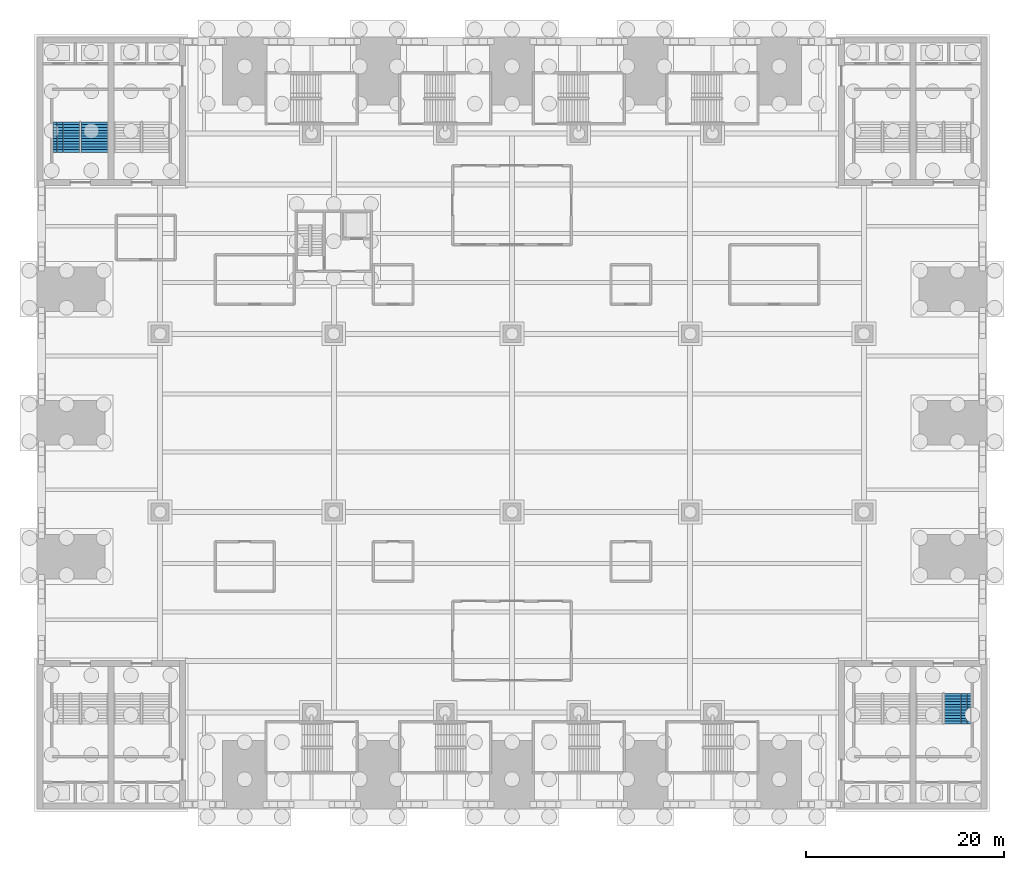
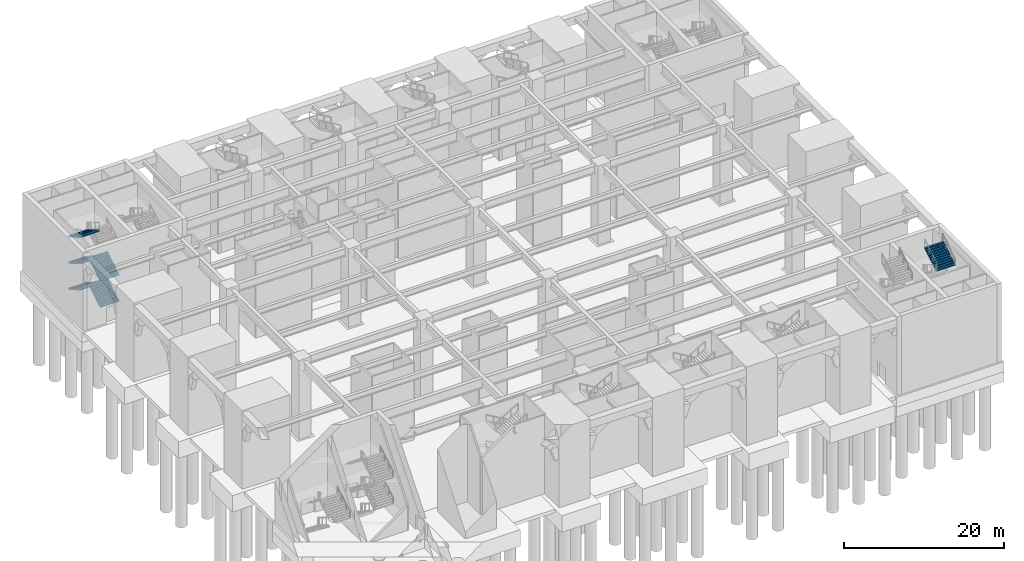
# One storey, part 19 of 34: 6 stair flights, 2 elements without a shape of their own.
"""IFC4 building model written with IfcOpenShell, lengths in metres."""

from ifc_helpers import new_model, si_unit, direction, frame, origin, place, context, subcontext, project, spatial, polyline, outline, extrude, material, type_object, element, aggregate, save


model = new_model("IFC4")

# Units and contexts
model_context = context("Model", 3, precision=1e-05, world=origin(), true_north=direction((0.0, 1.0)))
body_context = subcontext(model_context, "Body", "Model", "MODEL_VIEW")
ifc_project = project(units=[si_unit("LENGTHUNIT", "METRE"), si_unit("AREAUNIT", "SQUARE_METRE"), si_unit("VOLUMEUNIT", "CUBIC_METRE"), si_unit("PLANEANGLEUNIT", "RADIAN"), si_unit("MASSUNIT", "GRAM", prefix="KILO")], contexts=[model_context])

# Site, building, storey
site_placement = place(None, origin())
site = spatial("IfcSite", under=ifc_project, at=site_placement, CompositionType="ELEMENT")
building_placement = place(site_placement, origin())
building = spatial("IfcBuilding", under=site, at=building_placement, Name="Corbelhall Arena Tower", CompositionType="ELEMENT")
storey_placement = place(building_placement, origin())
storey = spatial("IfcBuildingStorey", under=building, at=storey_placement, Name="L00", CompositionType="ELEMENT", Elevation=0.0)

# Stair, stair flights
ifc_material = material(Name="Reinforced concrete C40/50", Category="concrete")
stair_type = type_object("IfcStairType", Name="AR-EXIT-STAIR", PredefinedType="HALF_TURN_STAIR", material=ifc_material)
stair_1_placement = place(storey_placement, origin())
stair_1 = element("IfcStair", 1, at=stair_1_placement, inside=storey, type_object=stair_type, Name="L00 exit stair AS4", PredefinedType="HALF_TURN_STAIR")
stair_flight_type = type_object("IfcStairFlightType", Name="AR-EXIT-FLIGHT", PredefinedType="STRAIGHT", material=ifc_material)
stair_flight_1_placement = place(storey_placement, frame((-42.159912109375, 27.320068359375, 0.0), z_axis=(0.0, 0.0, 1.0), x_axis=(0.0, 1.0, 0.0)))
stair_flight_1 = element("IfcStairFlight", 2, at=stair_flight_1_placement, type_object=stair_flight_type, Name="AS4 flight 1", NumberOfRisers=12, NumberOfTreads=11, PredefinedType="STRAIGHT", RiserHeight=0.166666667, TreadLength=0.28, context=body_context, shape_type="SweptSolid", body=[
    extrude(outline(polyline([(0.0, 0.0), (0.0, 0.166748046875), (0.280029296875, 0.166748046875), (0.280029296875, 0.333251953125), (0.56005859375, 0.333251953125), (0.56005859375, 0.5), (0.840087890625, 0.5), (0.840087890625, 0.666748046875), (1.1201171875, 0.666748046875), (1.1201171875, 0.833251953125), (1.39990234375, 0.833251953125), (1.39990234375, 1.0), (1.679931640625, 1.0), (1.679931640625, 1.166748046875), (1.9599609375, 1.166748046875), (1.9599609375, 1.333251953125), (2.239990234375, 1.333251953125), (2.239990234375, 1.5), (2.52001953125, 1.5), (2.52001953125, 1.666748046875), (2.800048828125, 1.666748046875), (2.800048828125, 1.833251953125), (3.080078125, 1.833251953125), (3.080078125, 2.0), (3.080078125, 1.658935546875), (0.29296875, 0.0), (0.0, 0.0)])), frame((0.0, 1.35986328125, 0.0), z_axis=(0.0, -1.0, 0.0), x_axis=(1.0, 0.0, 0.0)), (0.0, 0.0, 1.0), 0.449951171875),
    extrude(outline(polyline([(0.0, 0.0), (0.0, 0.166748046875), (0.280029296875, 0.166748046875), (0.280029296875, 0.333251953125), (0.56005859375, 0.333251953125), (0.56005859375, 0.5), (0.840087890625, 0.5), (0.840087890625, 0.666748046875), (1.1201171875, 0.666748046875), (1.1201171875, 0.833251953125), (1.39990234375, 0.833251953125), (1.39990234375, 1.0), (1.679931640625, 1.0), (1.679931640625, 1.166748046875), (1.9599609375, 1.166748046875), (1.9599609375, 1.333251953125), (2.239990234375, 1.333251953125), (2.239990234375, 1.5), (2.52001953125, 1.5), (2.52001953125, 1.666748046875), (2.800048828125, 1.666748046875), (2.800048828125, 1.833251953125), (3.080078125, 1.833251953125), (3.080078125, 2.0), (3.080078125, 1.658935546875), (0.29296875, 0.0), (0.0, 0.0)])), frame((0.0, 0.906005859375, 0.0), z_axis=(0.0, -1.0, 0.0), x_axis=(1.0, 0.0, 0.0)), (0.0, 0.0, 1.0), 0.601318359375),
    extrude(outline(polyline([(0.0, 0.0), (0.0, 0.166748046875), (0.280029296875, 0.166748046875), (0.280029296875, 0.333251953125), (0.56005859375, 0.333251953125), (0.56005859375, 0.5), (0.840087890625, 0.5), (0.840087890625, 0.666748046875), (1.1201171875, 0.666748046875), (1.1201171875, 0.833251953125), (1.39990234375, 0.833251953125), (1.39990234375, 1.0), (1.679931640625, 1.0), (1.679931640625, 1.166748046875), (1.9599609375, 1.166748046875), (1.9599609375, 1.333251953125), (2.239990234375, 1.333251953125), (2.239990234375, 1.5), (2.52001953125, 1.5), (2.52001953125, 1.666748046875), (2.800048828125, 1.666748046875), (2.800048828125, 1.833251953125), (3.080078125, 1.833251953125), (3.080078125, 2.0), (3.080078125, 1.658935546875), (0.29296875, 0.0), (0.0, 0.0)])), frame((0.0, 0.30078125, 0.0), z_axis=(0.0, -1.0, 0.0), x_axis=(1.0, 0.0, 0.0)), (0.0, 0.0, 1.0), 0.601318359375),
    extrude(outline(polyline([(0.0, 0.0), (0.0, 0.166748046875), (0.280029296875, 0.166748046875), (0.280029296875, 0.333251953125), (0.56005859375, 0.333251953125), (0.56005859375, 0.5), (0.840087890625, 0.5), (0.840087890625, 0.666748046875), (1.1201171875, 0.666748046875), (1.1201171875, 0.833251953125), (1.39990234375, 0.833251953125), (1.39990234375, 1.0), (1.679931640625, 1.0), (1.679931640625, 1.166748046875), (1.9599609375, 1.166748046875), (1.9599609375, 1.333251953125), (2.239990234375, 1.333251953125), (2.239990234375, 1.5), (2.52001953125, 1.5), (2.52001953125, 1.666748046875), (2.800048828125, 1.666748046875), (2.800048828125, 1.833251953125), (3.080078125, 1.833251953125), (3.080078125, 2.0), (3.080078125, 1.658935546875), (0.29296875, 0.0), (0.0, 0.0)])), frame((0.0, -0.3046875, 0.0), z_axis=(0.0, -1.0, 0.0), x_axis=(1.0, 0.0, 0.0)), (0.0, 0.0, 1.0), 0.601318359375),
    extrude(outline(polyline([(0.0, 0.0), (0.0, 0.166748046875), (0.280029296875, 0.166748046875), (0.280029296875, 0.333251953125), (0.56005859375, 0.333251953125), (0.56005859375, 0.5), (0.840087890625, 0.5), (0.840087890625, 0.666748046875), (1.1201171875, 0.666748046875), (1.1201171875, 0.833251953125), (1.39990234375, 0.833251953125), (1.39990234375, 1.0), (1.679931640625, 1.0), (1.679931640625, 1.166748046875), (1.9599609375, 1.166748046875), (1.9599609375, 1.333251953125), (2.239990234375, 1.333251953125), (2.239990234375, 1.5), (2.52001953125, 1.5), (2.52001953125, 1.666748046875), (2.800048828125, 1.666748046875), (2.800048828125, 1.833251953125), (3.080078125, 1.833251953125), (3.080078125, 2.0), (3.080078125, 1.658935546875), (0.29296875, 0.0), (0.0, 0.0)])), frame((0.0, -0.909912109375, 0.0), z_axis=(0.0, -1.0, 0.0), x_axis=(1.0, 0.0, 0.0)), (0.0, 0.0, 1.0), 0.449951171875),
])
stair_flight_2_placement = place(storey_placement, frame((-45.030029296875, 30.39990234375, 2.0), z_axis=(0.0, 0.0, 1.0), x_axis=(0.0, -1.0, 0.0)))
stair_flight_2 = element("IfcStairFlight", 3, at=stair_flight_2_placement, type_object=stair_flight_type, Name="AS4 flight 2", NumberOfRisers=12, NumberOfTreads=11, PredefinedType="STRAIGHT", RiserHeight=0.166666667, TreadLength=0.28, context=body_context, shape_type="SweptSolid", body=[
    extrude(outline(polyline([(0.0, 0.0), (0.0, 0.166748046875), (0.280029296875, 0.166748046875), (0.280029296875, 0.333251953125), (0.56005859375, 0.333251953125), (0.56005859375, 0.5), (0.840087890625, 0.5), (0.840087890625, 0.666748046875), (1.1201171875, 0.666748046875), (1.1201171875, 0.833251953125), (1.39990234375, 0.833251953125), (1.39990234375, 1.0), (1.679931640625, 1.0), (1.679931640625, 1.166748046875), (1.9599609375, 1.166748046875), (1.9599609375, 1.333251953125), (2.239990234375, 1.333251953125), (2.239990234375, 1.5), (2.52001953125, 1.5), (2.52001953125, 1.666748046875), (2.800048828125, 1.666748046875), (2.800048828125, 1.833251953125), (3.080078125, 1.833251953125), (3.080078125, 2.0), (3.080078125, 1.658935546875), (0.29296875, 0.0), (0.0, 0.0)])), frame((0.0, 1.35986328125, 0.0), z_axis=(0.0, -1.0, 0.0), x_axis=(1.0, 0.0, 0.0)), (0.0, 0.0, 1.0), 0.449951171875),
    extrude(outline(polyline([(0.0, 0.0), (0.0, 0.166748046875), (0.280029296875, 0.166748046875), (0.280029296875, 0.333251953125), (0.56005859375, 0.333251953125), (0.56005859375, 0.5), (0.840087890625, 0.5), (0.840087890625, 0.666748046875), (1.1201171875, 0.666748046875), (1.1201171875, 0.833251953125), (1.39990234375, 0.833251953125), (1.39990234375, 1.0), (1.679931640625, 1.0), (1.679931640625, 1.166748046875), (1.9599609375, 1.166748046875), (1.9599609375, 1.333251953125), (2.239990234375, 1.333251953125), (2.239990234375, 1.5), (2.52001953125, 1.5), (2.52001953125, 1.666748046875), (2.800048828125, 1.666748046875), (2.800048828125, 1.833251953125), (3.080078125, 1.833251953125), (3.080078125, 2.0), (3.080078125, 1.658935546875), (0.29296875, 0.0), (0.0, 0.0)])), frame((0.0, 0.906005859375, 0.0), z_axis=(0.0, -1.0, 0.0), x_axis=(1.0, 0.0, 0.0)), (0.0, 0.0, 1.0), 0.601318359375),
    extrude(outline(polyline([(0.0, 0.0), (0.0, 0.166748046875), (0.280029296875, 0.166748046875), (0.280029296875, 0.333251953125), (0.56005859375, 0.333251953125), (0.56005859375, 0.5), (0.840087890625, 0.5), (0.840087890625, 0.666748046875), (1.1201171875, 0.666748046875), (1.1201171875, 0.833251953125), (1.39990234375, 0.833251953125), (1.39990234375, 1.0), (1.679931640625, 1.0), (1.679931640625, 1.166748046875), (1.9599609375, 1.166748046875), (1.9599609375, 1.333251953125), (2.239990234375, 1.333251953125), (2.239990234375, 1.5), (2.52001953125, 1.5), (2.52001953125, 1.666748046875), (2.800048828125, 1.666748046875), (2.800048828125, 1.833251953125), (3.080078125, 1.833251953125), (3.080078125, 2.0), (3.080078125, 1.658935546875), (0.29296875, 0.0), (0.0, 0.0)])), frame((0.0, 0.30078125, 0.0), z_axis=(0.0, -1.0, 0.0), x_axis=(1.0, 0.0, 0.0)), (0.0, 0.0, 1.0), 0.601318359375),
    extrude(outline(polyline([(0.0, 0.0), (0.0, 0.166748046875), (0.280029296875, 0.166748046875), (0.280029296875, 0.333251953125), (0.56005859375, 0.333251953125), (0.56005859375, 0.5), (0.840087890625, 0.5), (0.840087890625, 0.666748046875), (1.1201171875, 0.666748046875), (1.1201171875, 0.833251953125), (1.39990234375, 0.833251953125), (1.39990234375, 1.0), (1.679931640625, 1.0), (1.679931640625, 1.166748046875), (1.9599609375, 1.166748046875), (1.9599609375, 1.333251953125), (2.239990234375, 1.333251953125), (2.239990234375, 1.5), (2.52001953125, 1.5), (2.52001953125, 1.666748046875), (2.800048828125, 1.666748046875), (2.800048828125, 1.833251953125), (3.080078125, 1.833251953125), (3.080078125, 2.0), (3.080078125, 1.658935546875), (0.29296875, 0.0), (0.0, 0.0)])), frame((0.0, -0.3046875, 0.0), z_axis=(0.0, -1.0, 0.0), x_axis=(1.0, 0.0, 0.0)), (0.0, 0.0, 1.0), 0.601318359375),
    extrude(outline(polyline([(0.0, 0.0), (0.0, 0.166748046875), (0.280029296875, 0.166748046875), (0.280029296875, 0.333251953125), (0.56005859375, 0.333251953125), (0.56005859375, 0.5), (0.840087890625, 0.5), (0.840087890625, 0.666748046875), (1.1201171875, 0.666748046875), (1.1201171875, 0.833251953125), (1.39990234375, 0.833251953125), (1.39990234375, 1.0), (1.679931640625, 1.0), (1.679931640625, 1.166748046875), (1.9599609375, 1.166748046875), (1.9599609375, 1.333251953125), (2.239990234375, 1.333251953125), (2.239990234375, 1.5), (2.52001953125, 1.5), (2.52001953125, 1.666748046875), (2.800048828125, 1.666748046875), (2.800048828125, 1.833251953125), (3.080078125, 1.833251953125), (3.080078125, 2.0), (3.080078125, 1.658935546875), (0.29296875, 0.0), (0.0, 0.0)])), frame((0.0, -0.909912109375, 0.0), z_axis=(0.0, -1.0, 0.0), x_axis=(1.0, 0.0, 0.0)), (0.0, 0.0, 1.0), 0.449951171875),
])
stair_flight_3_placement = place(storey_placement, frame((-42.159912109375, 27.320068359375, 4.0), z_axis=(0.0, 0.0, 1.0), x_axis=(0.0, 1.0, 0.0)))
stair_flight_3 = element("IfcStairFlight", 4, at=stair_flight_3_placement, type_object=stair_flight_type, Name="AS4 flight 3", NumberOfRisers=12, NumberOfTreads=11, PredefinedType="STRAIGHT", RiserHeight=0.166666667, TreadLength=0.28, context=body_context, shape_type="SweptSolid", body=[
    extrude(outline(polyline([(0.0, 0.0), (0.0, 0.166748046875), (0.280029296875, 0.166748046875), (0.280029296875, 0.333251953125), (0.56005859375, 0.333251953125), (0.56005859375, 0.5), (0.840087890625, 0.5), (0.840087890625, 0.666748046875), (1.1201171875, 0.666748046875), (1.1201171875, 0.833251953125), (1.39990234375, 0.833251953125), (1.39990234375, 1.0), (1.679931640625, 1.0), (1.679931640625, 1.166748046875), (1.9599609375, 1.166748046875), (1.9599609375, 1.333251953125), (2.239990234375, 1.333251953125), (2.239990234375, 1.5), (2.52001953125, 1.5), (2.52001953125, 1.666748046875), (2.800048828125, 1.666748046875), (2.800048828125, 1.833251953125), (3.080078125, 1.833251953125), (3.080078125, 2.0), (3.080078125, 1.658935546875), (0.29296875, 0.0), (0.0, 0.0)])), frame((0.0, 1.35986328125, 0.0), z_axis=(0.0, -1.0, 0.0), x_axis=(1.0, 0.0, 0.0)), (0.0, 0.0, 1.0), 0.449951171875),
    extrude(outline(polyline([(0.0, 0.0), (0.0, 0.166748046875), (0.280029296875, 0.166748046875), (0.280029296875, 0.333251953125), (0.56005859375, 0.333251953125), (0.56005859375, 0.5), (0.840087890625, 0.5), (0.840087890625, 0.666748046875), (1.1201171875, 0.666748046875), (1.1201171875, 0.833251953125), (1.39990234375, 0.833251953125), (1.39990234375, 1.0), (1.679931640625, 1.0), (1.679931640625, 1.166748046875), (1.9599609375, 1.166748046875), (1.9599609375, 1.333251953125), (2.239990234375, 1.333251953125), (2.239990234375, 1.5), (2.52001953125, 1.5), (2.52001953125, 1.666748046875), (2.800048828125, 1.666748046875), (2.800048828125, 1.833251953125), (3.080078125, 1.833251953125), (3.080078125, 2.0), (3.080078125, 1.658935546875), (0.29296875, 0.0), (0.0, 0.0)])), frame((0.0, 0.906005859375, 0.0), z_axis=(0.0, -1.0, 0.0), x_axis=(1.0, 0.0, 0.0)), (0.0, 0.0, 1.0), 0.601318359375),
    extrude(outline(polyline([(0.0, 0.0), (0.0, 0.166748046875), (0.280029296875, 0.166748046875), (0.280029296875, 0.333251953125), (0.56005859375, 0.333251953125), (0.56005859375, 0.5), (0.840087890625, 0.5), (0.840087890625, 0.666748046875), (1.1201171875, 0.666748046875), (1.1201171875, 0.833251953125), (1.39990234375, 0.833251953125), (1.39990234375, 1.0), (1.679931640625, 1.0), (1.679931640625, 1.166748046875), (1.9599609375, 1.166748046875), (1.9599609375, 1.333251953125), (2.239990234375, 1.333251953125), (2.239990234375, 1.5), (2.52001953125, 1.5), (2.52001953125, 1.666748046875), (2.800048828125, 1.666748046875), (2.800048828125, 1.833251953125), (3.080078125, 1.833251953125), (3.080078125, 2.0), (3.080078125, 1.658935546875), (0.29296875, 0.0), (0.0, 0.0)])), frame((0.0, 0.30078125, 0.0), z_axis=(0.0, -1.0, 0.0), x_axis=(1.0, 0.0, 0.0)), (0.0, 0.0, 1.0), 0.601318359375),
    extrude(outline(polyline([(0.0, 0.0), (0.0, 0.166748046875), (0.280029296875, 0.166748046875), (0.280029296875, 0.333251953125), (0.56005859375, 0.333251953125), (0.56005859375, 0.5), (0.840087890625, 0.5), (0.840087890625, 0.666748046875), (1.1201171875, 0.666748046875), (1.1201171875, 0.833251953125), (1.39990234375, 0.833251953125), (1.39990234375, 1.0), (1.679931640625, 1.0), (1.679931640625, 1.166748046875), (1.9599609375, 1.166748046875), (1.9599609375, 1.333251953125), (2.239990234375, 1.333251953125), (2.239990234375, 1.5), (2.52001953125, 1.5), (2.52001953125, 1.666748046875), (2.800048828125, 1.666748046875), (2.800048828125, 1.833251953125), (3.080078125, 1.833251953125), (3.080078125, 2.0), (3.080078125, 1.658935546875), (0.29296875, 0.0), (0.0, 0.0)])), frame((0.0, -0.3046875, 0.0), z_axis=(0.0, -1.0, 0.0), x_axis=(1.0, 0.0, 0.0)), (0.0, 0.0, 1.0), 0.601318359375),
    extrude(outline(polyline([(0.0, 0.0), (0.0, 0.166748046875), (0.280029296875, 0.166748046875), (0.280029296875, 0.333251953125), (0.56005859375, 0.333251953125), (0.56005859375, 0.5), (0.840087890625, 0.5), (0.840087890625, 0.666748046875), (1.1201171875, 0.666748046875), (1.1201171875, 0.833251953125), (1.39990234375, 0.833251953125), (1.39990234375, 1.0), (1.679931640625, 1.0), (1.679931640625, 1.166748046875), (1.9599609375, 1.166748046875), (1.9599609375, 1.333251953125), (2.239990234375, 1.333251953125), (2.239990234375, 1.5), (2.52001953125, 1.5), (2.52001953125, 1.666748046875), (2.800048828125, 1.666748046875), (2.800048828125, 1.833251953125), (3.080078125, 1.833251953125), (3.080078125, 2.0), (3.080078125, 1.658935546875), (0.29296875, 0.0), (0.0, 0.0)])), frame((0.0, -0.909912109375, 0.0), z_axis=(0.0, -1.0, 0.0), x_axis=(1.0, 0.0, 0.0)), (0.0, 0.0, 1.0), 0.449951171875),
])
stair_flight_4_placement = place(storey_placement, frame((-45.030029296875, 30.39990234375, 6.0), z_axis=(0.0, 0.0, 1.0), x_axis=(0.0, -1.0, 0.0)))
stair_flight_4 = element("IfcStairFlight", 5, at=stair_flight_4_placement, type_object=stair_flight_type, Name="AS4 flight 4", NumberOfRisers=12, NumberOfTreads=11, PredefinedType="STRAIGHT", RiserHeight=0.166666667, TreadLength=0.28, context=body_context, shape_type="SweptSolid", body=[
    extrude(outline(polyline([(0.0, 0.0), (0.0, 0.166748046875), (0.280029296875, 0.166748046875), (0.280029296875, 0.333251953125), (0.56005859375, 0.333251953125), (0.56005859375, 0.5), (0.840087890625, 0.5), (0.840087890625, 0.666748046875), (1.1201171875, 0.666748046875), (1.1201171875, 0.833251953125), (1.39990234375, 0.833251953125), (1.39990234375, 1.0), (1.679931640625, 1.0), (1.679931640625, 1.166748046875), (1.9599609375, 1.166748046875), (1.9599609375, 1.333251953125), (2.239990234375, 1.333251953125), (2.239990234375, 1.5), (2.52001953125, 1.5), (2.52001953125, 1.666748046875), (2.800048828125, 1.666748046875), (2.800048828125, 1.833251953125), (3.080078125, 1.833251953125), (3.080078125, 2.0), (3.080078125, 1.658935546875), (0.29296875, 0.0), (0.0, 0.0)])), frame((0.0, 1.35986328125, 0.0), z_axis=(0.0, -1.0, 0.0), x_axis=(1.0, 0.0, 0.0)), (0.0, 0.0, 1.0), 0.449951171875),
    extrude(outline(polyline([(0.0, 0.0), (0.0, 0.166748046875), (0.280029296875, 0.166748046875), (0.280029296875, 0.333251953125), (0.56005859375, 0.333251953125), (0.56005859375, 0.5), (0.840087890625, 0.5), (0.840087890625, 0.666748046875), (1.1201171875, 0.666748046875), (1.1201171875, 0.833251953125), (1.39990234375, 0.833251953125), (1.39990234375, 1.0), (1.679931640625, 1.0), (1.679931640625, 1.166748046875), (1.9599609375, 1.166748046875), (1.9599609375, 1.333251953125), (2.239990234375, 1.333251953125), (2.239990234375, 1.5), (2.52001953125, 1.5), (2.52001953125, 1.666748046875), (2.800048828125, 1.666748046875), (2.800048828125, 1.833251953125), (3.080078125, 1.833251953125), (3.080078125, 2.0), (3.080078125, 1.658935546875), (0.29296875, 0.0), (0.0, 0.0)])), frame((0.0, 0.906005859375, 0.0), z_axis=(0.0, -1.0, 0.0), x_axis=(1.0, 0.0, 0.0)), (0.0, 0.0, 1.0), 0.601318359375),
    extrude(outline(polyline([(0.0, 0.0), (0.0, 0.166748046875), (0.280029296875, 0.166748046875), (0.280029296875, 0.333251953125), (0.56005859375, 0.333251953125), (0.56005859375, 0.5), (0.840087890625, 0.5), (0.840087890625, 0.666748046875), (1.1201171875, 0.666748046875), (1.1201171875, 0.833251953125), (1.39990234375, 0.833251953125), (1.39990234375, 1.0), (1.679931640625, 1.0), (1.679931640625, 1.166748046875), (1.9599609375, 1.166748046875), (1.9599609375, 1.333251953125), (2.239990234375, 1.333251953125), (2.239990234375, 1.5), (2.52001953125, 1.5), (2.52001953125, 1.666748046875), (2.800048828125, 1.666748046875), (2.800048828125, 1.833251953125), (3.080078125, 1.833251953125), (3.080078125, 2.0), (3.080078125, 1.658935546875), (0.29296875, 0.0), (0.0, 0.0)])), frame((0.0, 0.30078125, 0.0), z_axis=(0.0, -1.0, 0.0), x_axis=(1.0, 0.0, 0.0)), (0.0, 0.0, 1.0), 0.601318359375),
    extrude(outline(polyline([(0.0, 0.0), (0.0, 0.166748046875), (0.280029296875, 0.166748046875), (0.280029296875, 0.333251953125), (0.56005859375, 0.333251953125), (0.56005859375, 0.5), (0.840087890625, 0.5), (0.840087890625, 0.666748046875), (1.1201171875, 0.666748046875), (1.1201171875, 0.833251953125), (1.39990234375, 0.833251953125), (1.39990234375, 1.0), (1.679931640625, 1.0), (1.679931640625, 1.166748046875), (1.9599609375, 1.166748046875), (1.9599609375, 1.333251953125), (2.239990234375, 1.333251953125), (2.239990234375, 1.5), (2.52001953125, 1.5), (2.52001953125, 1.666748046875), (2.800048828125, 1.666748046875), (2.800048828125, 1.833251953125), (3.080078125, 1.833251953125), (3.080078125, 2.0), (3.080078125, 1.658935546875), (0.29296875, 0.0), (0.0, 0.0)])), frame((0.0, -0.3046875, 0.0), z_axis=(0.0, -1.0, 0.0), x_axis=(1.0, 0.0, 0.0)), (0.0, 0.0, 1.0), 0.601318359375),
    extrude(outline(polyline([(0.0, 0.0), (0.0, 0.166748046875), (0.280029296875, 0.166748046875), (0.280029296875, 0.333251953125), (0.56005859375, 0.333251953125), (0.56005859375, 0.5), (0.840087890625, 0.5), (0.840087890625, 0.666748046875), (1.1201171875, 0.666748046875), (1.1201171875, 0.833251953125), (1.39990234375, 0.833251953125), (1.39990234375, 1.0), (1.679931640625, 1.0), (1.679931640625, 1.166748046875), (1.9599609375, 1.166748046875), (1.9599609375, 1.333251953125), (2.239990234375, 1.333251953125), (2.239990234375, 1.5), (2.52001953125, 1.5), (2.52001953125, 1.666748046875), (2.800048828125, 1.666748046875), (2.800048828125, 1.833251953125), (3.080078125, 1.833251953125), (3.080078125, 2.0), (3.080078125, 1.658935546875), (0.29296875, 0.0), (0.0, 0.0)])), frame((0.0, -0.909912109375, 0.0), z_axis=(0.0, -1.0, 0.0), x_axis=(1.0, 0.0, 0.0)), (0.0, 0.0, 1.0), 0.449951171875),
])
stair_flight_5_placement = place(storey_placement, frame((-45.030029296875, 30.39990234375, 10.0), z_axis=(0.0, 0.0, 1.0), x_axis=(0.0, -1.0, 0.0)))
stair_flight_5 = element("IfcStairFlight", 6, at=stair_flight_5_placement, type_object=stair_flight_type, Name="AS4 flight 6", NumberOfRisers=12, NumberOfTreads=11, PredefinedType="STRAIGHT", RiserHeight=0.166666667, TreadLength=0.28, context=body_context, shape_type="SweptSolid", body=[
    extrude(outline(polyline([(0.0, 0.0), (0.0, 0.166748046875), (0.280029296875, 0.166748046875), (0.280029296875, 0.333251953125), (0.56005859375, 0.333251953125), (0.56005859375, 0.5), (0.840087890625, 0.5), (0.840087890625, 0.666748046875), (1.1201171875, 0.666748046875), (1.1201171875, 0.833251953125), (1.39990234375, 0.833251953125), (1.39990234375, 1.0), (1.679931640625, 1.0), (1.679931640625, 1.166748046875), (1.9599609375, 1.166748046875), (1.9599609375, 1.333251953125), (2.239990234375, 1.333251953125), (2.239990234375, 1.5), (2.52001953125, 1.5), (2.52001953125, 1.666748046875), (2.800048828125, 1.666748046875), (2.800048828125, 1.833251953125), (3.080078125, 1.833251953125), (3.080078125, 2.0), (3.080078125, 1.658935546875), (0.29296875, 0.0), (0.0, 0.0)])), frame((0.0, 1.35986328125, 0.0), z_axis=(0.0, -1.0, 0.0), x_axis=(1.0, 0.0, 0.0)), (0.0, 0.0, 1.0), 0.449951171875),
    extrude(outline(polyline([(0.0, 0.0), (0.0, 0.166748046875), (0.280029296875, 0.166748046875), (0.280029296875, 0.333251953125), (0.56005859375, 0.333251953125), (0.56005859375, 0.5), (0.840087890625, 0.5), (0.840087890625, 0.666748046875), (1.1201171875, 0.666748046875), (1.1201171875, 0.833251953125), (1.39990234375, 0.833251953125), (1.39990234375, 1.0), (1.679931640625, 1.0), (1.679931640625, 1.166748046875), (1.9599609375, 1.166748046875), (1.9599609375, 1.333251953125), (2.239990234375, 1.333251953125), (2.239990234375, 1.5), (2.52001953125, 1.5), (2.52001953125, 1.666748046875), (2.800048828125, 1.666748046875), (2.800048828125, 1.833251953125), (3.080078125, 1.833251953125), (3.080078125, 2.0), (3.080078125, 1.658935546875), (0.29296875, 0.0), (0.0, 0.0)])), frame((0.0, 0.906005859375, 0.0), z_axis=(0.0, -1.0, 0.0), x_axis=(1.0, 0.0, 0.0)), (0.0, 0.0, 1.0), 0.601318359375),
    extrude(outline(polyline([(0.0, 0.0), (0.0, 0.166748046875), (0.280029296875, 0.166748046875), (0.280029296875, 0.333251953125), (0.56005859375, 0.333251953125), (0.56005859375, 0.5), (0.840087890625, 0.5), (0.840087890625, 0.666748046875), (1.1201171875, 0.666748046875), (1.1201171875, 0.833251953125), (1.39990234375, 0.833251953125), (1.39990234375, 1.0), (1.679931640625, 1.0), (1.679931640625, 1.166748046875), (1.9599609375, 1.166748046875), (1.9599609375, 1.333251953125), (2.239990234375, 1.333251953125), (2.239990234375, 1.5), (2.52001953125, 1.5), (2.52001953125, 1.666748046875), (2.800048828125, 1.666748046875), (2.800048828125, 1.833251953125), (3.080078125, 1.833251953125), (3.080078125, 2.0), (3.080078125, 1.658935546875), (0.29296875, 0.0), (0.0, 0.0)])), frame((0.0, 0.30078125, 0.0), z_axis=(0.0, -1.0, 0.0), x_axis=(1.0, 0.0, 0.0)), (0.0, 0.0, 1.0), 0.601318359375),
    extrude(outline(polyline([(0.0, 0.0), (0.0, 0.166748046875), (0.280029296875, 0.166748046875), (0.280029296875, 0.333251953125), (0.56005859375, 0.333251953125), (0.56005859375, 0.5), (0.840087890625, 0.5), (0.840087890625, 0.666748046875), (1.1201171875, 0.666748046875), (1.1201171875, 0.833251953125), (1.39990234375, 0.833251953125), (1.39990234375, 1.0), (1.679931640625, 1.0), (1.679931640625, 1.166748046875), (1.9599609375, 1.166748046875), (1.9599609375, 1.333251953125), (2.239990234375, 1.333251953125), (2.239990234375, 1.5), (2.52001953125, 1.5), (2.52001953125, 1.666748046875), (2.800048828125, 1.666748046875), (2.800048828125, 1.833251953125), (3.080078125, 1.833251953125), (3.080078125, 2.0), (3.080078125, 1.658935546875), (0.29296875, 0.0), (0.0, 0.0)])), frame((0.0, -0.3046875, 0.0), z_axis=(0.0, -1.0, 0.0), x_axis=(1.0, 0.0, 0.0)), (0.0, 0.0, 1.0), 0.601318359375),
    extrude(outline(polyline([(0.0, 0.0), (0.0, 0.166748046875), (0.280029296875, 0.166748046875), (0.280029296875, 0.333251953125), (0.56005859375, 0.333251953125), (0.56005859375, 0.5), (0.840087890625, 0.5), (0.840087890625, 0.666748046875), (1.1201171875, 0.666748046875), (1.1201171875, 0.833251953125), (1.39990234375, 0.833251953125), (1.39990234375, 1.0), (1.679931640625, 1.0), (1.679931640625, 1.166748046875), (1.9599609375, 1.166748046875), (1.9599609375, 1.333251953125), (2.239990234375, 1.333251953125), (2.239990234375, 1.5), (2.52001953125, 1.5), (2.52001953125, 1.666748046875), (2.800048828125, 1.666748046875), (2.800048828125, 1.833251953125), (3.080078125, 1.833251953125), (3.080078125, 2.0), (3.080078125, 1.658935546875), (0.29296875, 0.0), (0.0, 0.0)])), frame((0.0, -0.909912109375, 0.0), z_axis=(0.0, -1.0, 0.0), x_axis=(1.0, 0.0, 0.0)), (0.0, 0.0, 1.0), 0.449951171875),
])
aggregate(stair_1, [stair_flight_1, stair_flight_2, stair_flight_3, stair_flight_4, stair_flight_5])

# Stair, stair flight
stair_2_placement = place(storey_placement, origin())
stair_2 = element("IfcStair", 7, at=stair_2_placement, inside=storey, type_object=stair_type, Name="L00 exit stair AS6", PredefinedType="HALF_TURN_STAIR")
stair_flight_6_placement = place(storey_placement, frame((45.030029296875, -30.39990234375, 10.0), z_axis=(0.0, 0.0, 1.0), x_axis=(0.0, 1.0, 0.0)))
stair_flight_6 = element("IfcStairFlight", 8, at=stair_flight_6_placement, type_object=stair_flight_type, Name="AS6 flight 6", NumberOfRisers=12, NumberOfTreads=11, PredefinedType="STRAIGHT", RiserHeight=0.166666667, TreadLength=0.28, context=body_context, shape_type="SweptSolid", body=[
    extrude(outline(polyline([(0.0, 0.0), (0.0, 0.166748046875), (0.280029296875, 0.166748046875), (0.280029296875, 0.333251953125), (0.56005859375, 0.333251953125), (0.56005859375, 0.5), (0.840087890625, 0.5), (0.840087890625, 0.666748046875), (1.1201171875, 0.666748046875), (1.1201171875, 0.833251953125), (1.39990234375, 0.833251953125), (1.39990234375, 1.0), (1.679931640625, 1.0), (1.679931640625, 1.166748046875), (1.9599609375, 1.166748046875), (1.9599609375, 1.333251953125), (2.239990234375, 1.333251953125), (2.239990234375, 1.5), (2.52001953125, 1.5), (2.52001953125, 1.666748046875), (2.800048828125, 1.666748046875), (2.800048828125, 1.833251953125), (3.080078125, 1.833251953125), (3.080078125, 2.0), (3.080078125, 1.658935546875), (0.29296875, 0.0), (0.0, 0.0)])), frame((0.0, 1.35986328125, 0.0), z_axis=(0.0, -1.0, 0.0), x_axis=(1.0, 0.0, 0.0)), (0.0, 0.0, 1.0), 0.449951171875),
    extrude(outline(polyline([(0.0, 0.0), (0.0, 0.166748046875), (0.280029296875, 0.166748046875), (0.280029296875, 0.333251953125), (0.56005859375, 0.333251953125), (0.56005859375, 0.5), (0.840087890625, 0.5), (0.840087890625, 0.666748046875), (1.1201171875, 0.666748046875), (1.1201171875, 0.833251953125), (1.39990234375, 0.833251953125), (1.39990234375, 1.0), (1.679931640625, 1.0), (1.679931640625, 1.166748046875), (1.9599609375, 1.166748046875), (1.9599609375, 1.333251953125), (2.239990234375, 1.333251953125), (2.239990234375, 1.5), (2.52001953125, 1.5), (2.52001953125, 1.666748046875), (2.800048828125, 1.666748046875), (2.800048828125, 1.833251953125), (3.080078125, 1.833251953125), (3.080078125, 2.0), (3.080078125, 1.658935546875), (0.29296875, 0.0), (0.0, 0.0)])), frame((0.0, 0.906005859375, 0.0), z_axis=(0.0, -1.0, 0.0), x_axis=(1.0, 0.0, 0.0)), (0.0, 0.0, 1.0), 0.601318359375),
    extrude(outline(polyline([(0.0, 0.0), (0.0, 0.166748046875), (0.280029296875, 0.166748046875), (0.280029296875, 0.333251953125), (0.56005859375, 0.333251953125), (0.56005859375, 0.5), (0.840087890625, 0.5), (0.840087890625, 0.666748046875), (1.1201171875, 0.666748046875), (1.1201171875, 0.833251953125), (1.39990234375, 0.833251953125), (1.39990234375, 1.0), (1.679931640625, 1.0), (1.679931640625, 1.166748046875), (1.9599609375, 1.166748046875), (1.9599609375, 1.333251953125), (2.239990234375, 1.333251953125), (2.239990234375, 1.5), (2.52001953125, 1.5), (2.52001953125, 1.666748046875), (2.800048828125, 1.666748046875), (2.800048828125, 1.833251953125), (3.080078125, 1.833251953125), (3.080078125, 2.0), (3.080078125, 1.658935546875), (0.29296875, 0.0), (0.0, 0.0)])), frame((0.0, 0.30078125, 0.0), z_axis=(0.0, -1.0, 0.0), x_axis=(1.0, 0.0, 0.0)), (0.0, 0.0, 1.0), 0.601318359375),
    extrude(outline(polyline([(0.0, 0.0), (0.0, 0.166748046875), (0.280029296875, 0.166748046875), (0.280029296875, 0.333251953125), (0.56005859375, 0.333251953125), (0.56005859375, 0.5), (0.840087890625, 0.5), (0.840087890625, 0.666748046875), (1.1201171875, 0.666748046875), (1.1201171875, 0.833251953125), (1.39990234375, 0.833251953125), (1.39990234375, 1.0), (1.679931640625, 1.0), (1.679931640625, 1.166748046875), (1.9599609375, 1.166748046875), (1.9599609375, 1.333251953125), (2.239990234375, 1.333251953125), (2.239990234375, 1.5), (2.52001953125, 1.5), (2.52001953125, 1.666748046875), (2.800048828125, 1.666748046875), (2.800048828125, 1.833251953125), (3.080078125, 1.833251953125), (3.080078125, 2.0), (3.080078125, 1.658935546875), (0.29296875, 0.0), (0.0, 0.0)])), frame((0.0, -0.3046875, 0.0), z_axis=(0.0, -1.0, 0.0), x_axis=(1.0, 0.0, 0.0)), (0.0, 0.0, 1.0), 0.601318359375),
    extrude(outline(polyline([(0.0, 0.0), (0.0, 0.166748046875), (0.280029296875, 0.166748046875), (0.280029296875, 0.333251953125), (0.56005859375, 0.333251953125), (0.56005859375, 0.5), (0.840087890625, 0.5), (0.840087890625, 0.666748046875), (1.1201171875, 0.666748046875), (1.1201171875, 0.833251953125), (1.39990234375, 0.833251953125), (1.39990234375, 1.0), (1.679931640625, 1.0), (1.679931640625, 1.166748046875), (1.9599609375, 1.166748046875), (1.9599609375, 1.333251953125), (2.239990234375, 1.333251953125), (2.239990234375, 1.5), (2.52001953125, 1.5), (2.52001953125, 1.666748046875), (2.800048828125, 1.666748046875), (2.800048828125, 1.833251953125), (3.080078125, 1.833251953125), (3.080078125, 2.0), (3.080078125, 1.658935546875), (0.29296875, 0.0), (0.0, 0.0)])), frame((0.0, -0.909912109375, 0.0), z_axis=(0.0, -1.0, 0.0), x_axis=(1.0, 0.0, 0.0)), (0.0, 0.0, 1.0), 0.449951171875),
])
aggregate(stair_2, [stair_flight_6])

save(model, "model.ifc")
